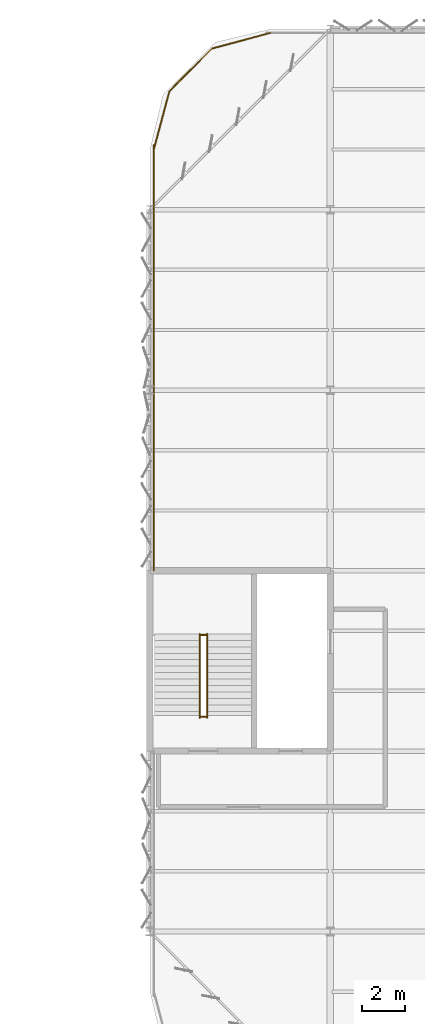
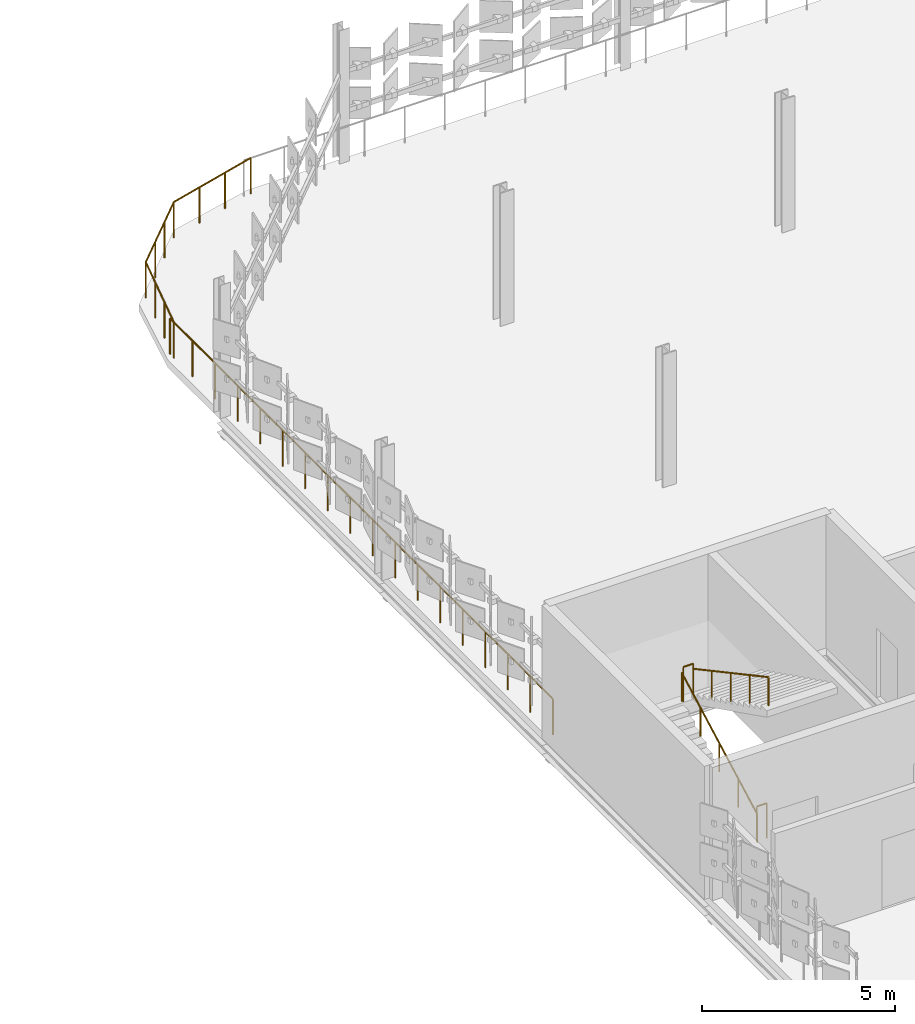
# One storey, part 178 of 184: 6 railings.
"""IFC4 building model written with IfcOpenShell, lengths in metres."""

from ifc_helpers import new_model, si_unit, direction, frame, origin, origin_2d, place, context, subcontext, project, spatial, circle, extrude, material, type_object, element, save


model = new_model("IFC4")

# Units and contexts
model_context = context("Model", 3, precision=1e-05, world=origin(), true_north=direction((0.0, 1.0)))
body_context = subcontext(model_context, "Body", "Model", "MODEL_VIEW")
ifc_project = project(units=[si_unit("LENGTHUNIT", "METRE"), si_unit("AREAUNIT", "SQUARE_METRE"), si_unit("VOLUMEUNIT", "CUBIC_METRE"), si_unit("PLANEANGLEUNIT", "RADIAN"), si_unit("MASSUNIT", "GRAM", prefix="KILO")], contexts=[model_context])

# Site, building, storey
site_placement = place(None, origin())
site = spatial("IfcSite", under=ifc_project, at=site_placement, CompositionType="ELEMENT")
building_placement = place(site_placement, origin())
building = spatial("IfcBuilding", under=site, at=building_placement, Name="Qalvenar Corner Mobility Hub", CompositionType="ELEMENT")
storey_placement = place(building_placement, frame((0.0, 0.0, 9.0)))
storey = spatial("IfcBuildingStorey", under=building, at=storey_placement, Name="L02", CompositionType="ELEMENT", Elevation=9.0)

# Railings
ifc_material_1 = material(Name="Art Nouveau Bronze-Finished Steel Balustrade", Category="steel")
railing_type_1 = type_object("IfcRailingType", Name="RL-GUARD-110", PredefinedType="GUARDRAIL", material=ifc_material_1)
for number, where, name in (
    (1, (61.139892578125, 85.60009765625, 0.0), "Stair Arrival Slot Guard C3-L02"),
    (2, (61.139892578125, 89.39990234375, 2.10009765625), "Stair Half-Landing Well Guard ST3-L02"),
):
    element("IfcRailing", number, at=place(storey_placement, frame(where)), inside=storey, type_object=railing_type_1, Name=name, PredefinedType="GUARDRAIL", context=body_context, shape_type="SweptSolid", body=[
        extrude(circle(Radius=0.02392578125, at=origin_2d()), frame((0.0, 0.0, 1.09619140625), z_axis=(1.0, 0.0, 0.0), x_axis=(0.0, 1.0, 0.0)), (0.0, 0.0, 1.0), 0.300048828125),
        extrude(circle(Radius=0.02099609375, at=origin_2d()), origin(), (0.0, 0.0, 1.0), 1.072021484375),
        extrude(circle(Radius=0.02099609375, at=origin_2d()), frame((0.300048828125, 0.0, 0.0)), (0.0, 0.0, 1.0), 1.072021484375),
    ])
ifc_material_2 = material(Name="Galvanised Steel Deck Edge Barrier", Category="steel")
railing_type_2 = type_object("IfcRailingType", Name="RL-GUARD-115", PredefinedType="GUARDRAIL", material=ifc_material_2)
railing_1_placement = place(storey_placement, frame((58.97998046875, 112.199951171875, 0.0)))
element("IfcRailing", 3, at=railing_1_placement, inside=storey, type_object=railing_type_2, Name="Parking Deck West-North Barrier L02", PredefinedType="GUARDRAIL", context=body_context, shape_type="SweptSolid", body=[
    extrude(circle(Radius=0.02392578125, at=origin_2d()), frame((0.0, 0.0, 1.1259765625), z_axis=(0.0, -1.0, 0.0), x_axis=(1.0, 0.0, 0.0)), (0.0, 0.0, 1.0), 19.800048828125),
    extrude(circle(Radius=0.02099609375, at=origin_2d()), origin(), (0.0, 0.0, 1.0), 1.101806640625),
    extrude(circle(Radius=0.02099609375, at=origin_2d()), frame((0.0, -1.164794921875, 0.0)), (0.0, 0.0, 1.0), 1.101806640625),
    extrude(circle(Radius=0.02099609375, at=origin_2d()), frame((0.0, -2.329345703125, 0.0)), (0.0, 0.0, 1.0), 1.101806640625),
    extrude(circle(Radius=0.02099609375, at=origin_2d()), frame((0.0, -3.494140625, 0.0)), (0.0, 0.0, 1.0), 1.101806640625),
    extrude(circle(Radius=0.02099609375, at=origin_2d()), frame((0.0, -4.658935546875, 0.0)), (0.0, 0.0, 1.0), 1.101806640625),
    extrude(circle(Radius=0.02099609375, at=origin_2d()), frame((0.0, -5.823486328125, 0.0)), (0.0, 0.0, 1.0), 1.101806640625),
    extrude(circle(Radius=0.02099609375, at=origin_2d()), frame((0.0, -6.98828125, 0.0)), (0.0, 0.0, 1.0), 1.101806640625),
    extrude(circle(Radius=0.02099609375, at=origin_2d()), frame((0.0, -8.153076171875, 0.0)), (0.0, 0.0, 1.0), 1.101806640625),
    extrude(circle(Radius=0.02099609375, at=origin_2d()), frame((0.0, -9.317626953125, 0.0)), (0.0, 0.0, 1.0), 1.101806640625),
    extrude(circle(Radius=0.02099609375, at=origin_2d()), frame((0.0, -10.482421875, 0.0)), (0.0, 0.0, 1.0), 1.101806640625),
    extrude(circle(Radius=0.02099609375, at=origin_2d()), frame((0.0, -11.64697265625, 0.0)), (0.0, 0.0, 1.0), 1.101806640625),
    extrude(circle(Radius=0.02099609375, at=origin_2d()), frame((0.0, -12.811767578125, 0.0)), (0.0, 0.0, 1.0), 1.101806640625),
    extrude(circle(Radius=0.02099609375, at=origin_2d()), frame((0.0, -13.9765625, 0.0)), (0.0, 0.0, 1.0), 1.101806640625),
    extrude(circle(Radius=0.02099609375, at=origin_2d()), frame((0.0, -15.14111328125, 0.0)), (0.0, 0.0, 1.0), 1.101806640625),
    extrude(circle(Radius=0.02099609375, at=origin_2d()), frame((0.0, -16.305908203125, 0.0)), (0.0, 0.0, 1.0), 1.101806640625),
    extrude(circle(Radius=0.02099609375, at=origin_2d()), frame((0.0, -17.470703125, 0.0)), (0.0, 0.0, 1.0), 1.101806640625),
    extrude(circle(Radius=0.02099609375, at=origin_2d()), frame((0.0, -18.63525390625, 0.0)), (0.0, 0.0, 1.0), 1.101806640625),
    extrude(circle(Radius=0.02099609375, at=origin_2d()), frame((0.0, -19.800048828125, 0.0)), (0.0, 0.0, 1.0), 1.101806640625),
])
railing_2_placement = place(storey_placement, frame((64.39990234375, 117.419921875, 0.0)))
element("IfcRailing", 4, at=railing_2_placement, inside=storey, type_object=railing_type_2, Name="Rounded Corner Barrier L02-NW", PredefinedType="GUARDRAIL", context=body_context, shape_type="SweptSolid", body=[
    extrude(circle(Radius=0.02392578125, at=origin_2d()), frame((0.0, 0.0, 1.1259765625), z_axis=(-0.965930961109, -0.258799880931, 0.0), x_axis=(0.258799880931, -0.965930961109, 0.0)), (0.0, 0.0, 1.0), 2.8056640625),
    extrude(circle(Radius=0.02392578125, at=origin_2d()), frame((-2.7099609375, -0.72607421875, 1.1259765625), z_axis=(-0.707106781187, -0.707106781187, 0.0), x_axis=(0.707106781187, -0.707106781187, 0.0)), (0.0, 0.0, 1.0), 2.8056640625),
    extrude(circle(Radius=0.02392578125, at=origin_2d()), frame((-4.69384765625, -2.7099609375, 1.1259765625), z_axis=(-0.258799880931, -0.965930961109, 0.0), x_axis=(0.965930961109, -0.258799880931, 0.0)), (0.0, 0.0, 1.0), 2.8056640625),
    extrude(circle(Radius=0.02099609375, at=origin_2d()), origin(), (0.0, 0.0, 1.0), 1.101806640625),
    extrude(circle(Radius=0.02099609375, at=origin_2d()), frame((-0.9033203125, -0.241943359375, 0.0)), (0.0, 0.0, 1.0), 1.101806640625),
    extrude(circle(Radius=0.02099609375, at=origin_2d()), frame((-1.806640625, -0.484130859375, 0.0)), (0.0, 0.0, 1.0), 1.101806640625),
    extrude(circle(Radius=0.02099609375, at=origin_2d()), frame((-2.7099609375, -0.72607421875, 0.0)), (0.0, 0.0, 1.0), 1.101806640625),
    extrude(circle(Radius=0.02099609375, at=origin_2d()), frame((-3.371337890625, -1.387451171875, 0.0)), (0.0, 0.0, 1.0), 1.101806640625),
    extrude(circle(Radius=0.02099609375, at=origin_2d()), frame((-4.032470703125, -2.048583984375, 0.0)), (0.0, 0.0, 1.0), 1.101806640625),
    extrude(circle(Radius=0.02099609375, at=origin_2d()), frame((-4.69384765625, -2.7099609375, 0.0)), (0.0, 0.0, 1.0), 1.101806640625),
    extrude(circle(Radius=0.02099609375, at=origin_2d()), frame((-4.935791015625, -3.61328125, 0.0)), (0.0, 0.0, 1.0), 1.101806640625),
    extrude(circle(Radius=0.02099609375, at=origin_2d()), frame((-5.177978515625, -4.5166015625, 0.0)), (0.0, 0.0, 1.0), 1.101806640625),
    extrude(circle(Radius=0.02099609375, at=origin_2d()), frame((-5.419921875, -5.419921875, 0.0)), (0.0, 0.0, 1.0), 1.101806640625),
])
ifc_material_3 = material(Name="Brushed Stainless Steel Handrail", Category="steel")
railing_type_3 = type_object("IfcRailingType", Name="RL-HAND-092", PredefinedType="HANDRAIL", material=ifc_material_3)
railing_3_placement = place(storey_placement, frame((61.1201171875, 85.550048828125, 0.0)))
element("IfcRailing", 5, at=railing_3_placement, inside=storey, type_object=railing_type_3, Name="Stair Handrail ST3-L02-1", PredefinedType="HANDRAIL", context=body_context, shape_type="SweptSolid", body=[
    extrude(circle(Radius=0.02392578125, at=origin_2d()), frame((0.0, 0.0, 0.89599609375), z_axis=(0.0, 0.880456940745, 0.474126117709), x_axis=(-1.0, 0.0, 0.0)), (0.0, 0.0, 1.0), 4.429443359375),
    extrude(circle(Radius=0.02099609375, at=origin_2d()), origin(), (0.0, 0.0, 1.0), 0.871826171875),
    extrude(circle(Radius=0.02099609375, at=origin_2d()), frame((0.0, 0.97509765625, 0.52490234375)), (0.0, 0.0, 1.0), 0.871826171875),
    extrude(circle(Radius=0.02099609375, at=origin_2d()), frame((0.0, 1.949951171875, 1.050048828125)), (0.0, 0.0, 1.0), 0.871826171875),
    extrude(circle(Radius=0.02099609375, at=origin_2d()), frame((0.0, 2.9248046875, 1.5751953125)), (0.0, 0.0, 1.0), 0.871826171875),
    extrude(circle(Radius=0.02099609375, at=origin_2d()), frame((0.0, 3.89990234375, 2.10009765625)), (0.0, 0.0, 1.0), 0.871826171875),
])
railing_4_placement = place(storey_placement, frame((61.4599609375, 89.449951171875, 2.10009765625)))
element("IfcRailing", 6, at=railing_4_placement, inside=storey, type_object=railing_type_3, Name="Stair Handrail ST3-L02-2", PredefinedType="HANDRAIL", context=body_context, shape_type="SweptSolid", body=[
    extrude(circle(Radius=0.02392578125, at=origin_2d()), frame((0.0, 0.0, 0.89599609375), z_axis=(0.0, -0.88047994924, 0.474083388219), x_axis=(1.0, 0.0, 0.0)), (0.0, 0.0, 1.0), 4.42919921875),
    extrude(circle(Radius=0.02099609375, at=origin_2d()), origin(), (0.0, 0.0, 1.0), 0.871826171875),
    extrude(circle(Radius=0.02099609375, at=origin_2d()), frame((0.0, -0.97509765625, 0.52490234375)), (0.0, 0.0, 1.0), 0.871826171875),
    extrude(circle(Radius=0.02099609375, at=origin_2d()), frame((0.0, -1.949951171875, 1.0498046875)), (0.0, 0.0, 1.0), 0.871826171875),
    extrude(circle(Radius=0.02099609375, at=origin_2d()), frame((0.0, -2.9248046875, 1.574951171875)), (0.0, 0.0, 1.0), 0.871826171875),
    extrude(circle(Radius=0.02099609375, at=origin_2d()), frame((0.0, -3.89990234375, 2.099853515625)), (0.0, 0.0, 1.0), 0.871826171875),
])

save(model, "model.ifc")
